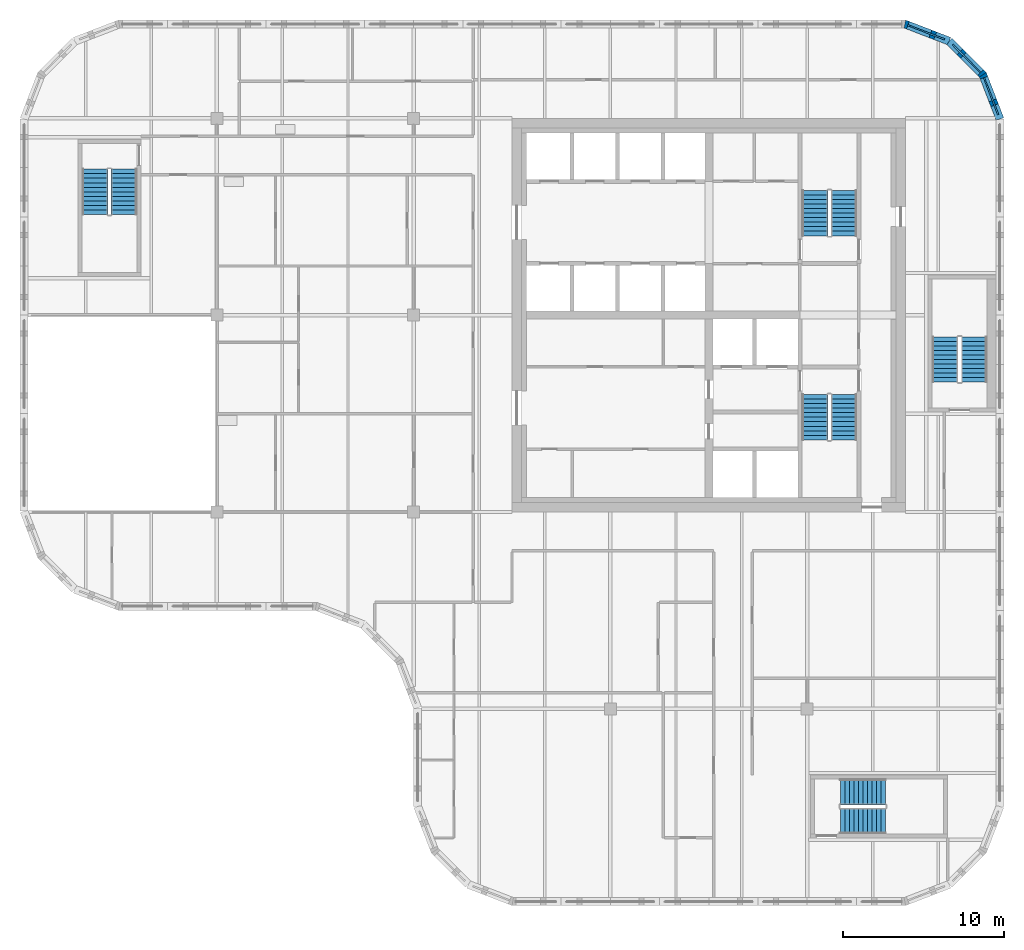
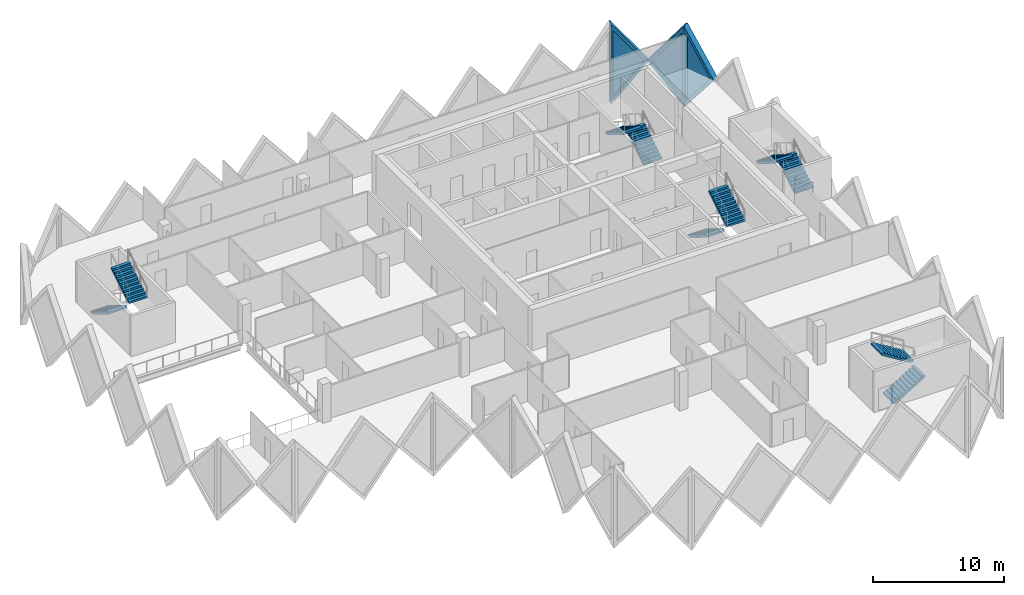
# One storey, part 10 of 12: 10 stair flights, 3 plates, 3 walls, 3 openings, 5 elements without a shape of their own.
"""IFC4 building model written with IfcOpenShell, lengths in metres."""

from ifc_helpers import new_model, si_unit, direction, frame, origin, place, context, subcontext, project, spatial, polyline, outline, extrude, faceted_brep, source, transform, mapped, material, layer, layer_set, type_object, element, fill, aggregate, save


model = new_model("IFC4")

# Units and contexts
model_context = context("Model", 3, precision=1e-05, world=origin(), true_north=direction((0.0, 1.0)))
body_context = subcontext(model_context, "Body", "Model", "MODEL_VIEW")
ifc_project = project(units=[si_unit("LENGTHUNIT", "METRE"), si_unit("AREAUNIT", "SQUARE_METRE"), si_unit("VOLUMEUNIT", "CUBIC_METRE"), si_unit("PLANEANGLEUNIT", "RADIAN"), si_unit("MASSUNIT", "GRAM", prefix="KILO")], contexts=[model_context])

# Site, building, storey
site_placement = place(None, origin())
site = spatial("IfcSite", under=ifc_project, at=site_placement, CompositionType="ELEMENT")
building_placement = place(site_placement, origin())
building = spatial("IfcBuilding", under=site, at=building_placement, Name="Tessera Gate Towers", CompositionType="ELEMENT")
storey_placement = place(building_placement, frame((0.0, 0.0, 163.0)))
storey = spatial("IfcBuildingStorey", under=building, at=storey_placement, Name="L40", CompositionType="ELEMENT", Elevation=163.0)

# Wall, opening, plate
ifc_material_1 = material(Name="Precast concrete C60/75 white", Category="concrete")
ifc_layer_1 = layer(ifc_material_1, 0.5)
ifc_layer_set_1 = layer_set([ifc_layer_1], Name="TS3 corner tessera")
wall_type = type_object("IfcWallType", Name="TS3 corner tessera", PredefinedType="SOLIDWALL", material=ifc_layer_set_1)
shared_shape_1 = source(origin(), body_context, "Body", "Brep", [
    faceted_brep([(2.950439453125, -0.25, 0.0), (2.9970703125, -0.25, 0.05908203125), (2.9970703125, -0.25, 7.541015625), (2.950439453125, -0.25, 7.60009765625), (0.0, -0.25, 3.800048828125), (0.052978515625, 0.25, 3.8681640625), (2.904052734375, 0.25, 7.540283203125), (2.904052734375, 0.25, 0.059814453125), (0.052978515625, 0.25, 3.73193359375), (2.950439453125, 0.00048828125, 0.0), (2.950439453125, 0.00048828125, 7.60009765625), (0.0, 0.0, 3.800048828125)], [[[0, 1, 2, 3, 4]], [[5, 6, 7, 8]], [[1, 0, 9]], [[10, 3, 2]], [[6, 5, 11, 4, 3, 10]], [[8, 7, 9, 0, 4, 11]], [[8, 11, 5]], [[1, 9, 7, 6, 10, 2]]]),
])
wall_1_placement = place(storey_placement, frame((57.606201171875, 53.588134765625, -3.800048828125), z_axis=(0.0, 0.0, 1.0), x_axis=(-0.932990326376, 0.359901446078, 0.0)))
wall_1 = element("IfcWall", 1, at=wall_1_placement, inside=storey, type_object=wall_type, Name="Precast corner tessera T1 TS3-0921", PredefinedType="SOLIDWALL", context=body_context, shape_type="MappedRepresentation", body=[
    mapped(shared_shape_1, transform((0.0, 0.0, 0.0), scale=1.0)),
])
shared_shape_2 = source(origin(), body_context, "Body", "SweptSolid", [
    extrude(outline(polyline([(2.75048828125, 6.934814453125), (0.31640625, 3.800048828125), (2.75048828125, 0.665283203125), (2.75048828125, 6.934814453125)])), frame((0.0, 0.260009765625, 0.0), z_axis=(0.0, -1.0, 0.0), x_axis=(1.0, 0.0, 0.0)), (0.0, 0.0, 1.0), 0.52001953125),
])
opening_1_placement = place(wall_1_placement, origin())
opening_1 = element("IfcOpeningElement", 2, at=opening_1_placement, cuts=wall_1, Name="Opening T1-PL2-1381", PredefinedType="OPENING", context=body_context, shape_type="MappedRepresentation", body=[
    mapped(shared_shape_2, transform((0.0, 0.0, 0.0), scale=1.0)),
])
ifc_material_2 = material(Name="Low-e laminated glass", Category="glass")
ifc_layer_2 = layer(ifc_material_2, 0.06005859375)
ifc_layer_set_2 = layer_set([ifc_layer_2], Name="PL2 rhombic pane")
plate_type = type_object("IfcPlateType", Name="PL2 rhombic pane", PredefinedType="SHEET", material=ifc_layer_set_2)
shared_shape_3 = source(origin(), body_context, "Body", "SweptSolid", [
    extrude(outline(polyline([(2.75048828125, 6.934814453125), (0.31640625, 3.800048828125), (2.75048828125, 0.665283203125), (2.75048828125, 6.934814453125)])), frame((0.0, 0.030029296875, 0.0), z_axis=(0.0, -1.0, 0.0), x_axis=(1.0, 0.0, 0.0)), (0.0, 0.0, 1.0), 0.06005859375),
])
plate_1_placement = place(opening_1_placement, origin())
plate_1 = element("IfcPlate", 3, at=plate_1_placement, inside=storey, type_object=plate_type, Name="Glass pane T1 PL2-1381", PredefinedType="SHEET", context=body_context, shape_type="MappedRepresentation", body=[
    mapped(shared_shape_3, transform((0.0, 0.0, 0.0), scale=1.0)),
])
fill(opening_1, plate_1)

shared_shape_4 = source(origin(), body_context, "Body", "Brep", [
    faceted_brep([(2.950439453125, -0.25, 0.0), (3.00341796875, -0.25, 0.068359375), (3.00341796875, -0.25, 7.53173828125), (2.950439453125, -0.25, 7.60009765625), (0.0, -0.25, 3.800048828125), (0.046630859375, 0.25, 3.860107421875), (2.897705078125, 0.25, 7.531982421875), (2.897705078125, 0.25, 0.068115234375), (0.046630859375, 0.25, 3.739990234375), (2.950439453125, 0.00048828125, 0.0), (2.950439453125, 0.00048828125, 7.60009765625), (0.0, 0.0, 3.800048828125)], [[[0, 1, 2, 3, 4]], [[5, 6, 7, 8]], [[1, 0, 9]], [[10, 3, 2]], [[6, 5, 11, 4, 3, 10]], [[8, 7, 9, 0, 4, 11]], [[8, 11, 5]], [[1, 9, 7, 6, 10, 2]]]),
])
wall_2_placement = place(storey_placement, frame((60.75, 48.75341796875, -3.800048828125), z_axis=(0.0, 0.0, 1.0), x_axis=(-0.35992665181, 0.932980602862, 0.0)))
wall_2 = element("IfcWall", 4, at=wall_2_placement, inside=storey, type_object=wall_type, Name="Precast corner tessera T1 TS3-0919", PredefinedType="SOLIDWALL", context=body_context, shape_type="MappedRepresentation", body=[
    mapped(shared_shape_4, transform((0.0, 0.0, 0.0), scale=1.0)),
])
opening_2_placement = place(wall_2_placement, origin())
opening_2 = element("IfcOpeningElement", 5, at=opening_2_placement, cuts=wall_2, Name="Opening T1-PL2-1379", PredefinedType="OPENING", context=body_context, shape_type="MappedRepresentation", body=[
    mapped(shared_shape_2, transform((0.0, 0.0, 0.0), scale=1.0)),
])
plate_2_placement = place(opening_2_placement, origin())
plate_2 = element("IfcPlate", 6, at=plate_2_placement, inside=storey, type_object=plate_type, Name="Glass pane T1 PL2-1379", PredefinedType="SHEET", context=body_context, shape_type="MappedRepresentation", body=[
    mapped(shared_shape_3, transform((0.0, 0.0, 0.0), scale=1.0)),
])
fill(opening_2, plate_2)

shared_shape_5 = source(origin(), body_context, "Body", "Brep", [
    faceted_brep([(0.052978515625, -0.25, 0.0), (2.9970703125, -0.25, 3.800048828125), (0.052978515625, -0.25, 7.60009765625), (0.0, -0.25, 7.531982421875), (0.0, -0.25, 0.068115234375), (0.10595703125, 0.25, 7.53173828125), (2.944091796875, 0.25, 3.8681640625), (2.944091796875, 0.25, 3.73193359375), (0.10595703125, 0.25, 0.068359375), (2.9970703125, 0.000244140625, 3.800048828125), (0.052978515625, 0.0, 0.0), (0.052978515625, 0.0, 7.60009765625)], [[[0, 1, 2, 3, 4]], [[5, 6, 7, 8]], [[8, 7, 9, 1, 0, 10]], [[6, 5, 11, 2, 1, 9]], [[3, 2, 11]], [[10, 0, 4]], [[8, 10, 4, 3, 11, 5]], [[9, 7, 6]]]),
])
wall_3_placement = place(storey_placement, frame((59.7255859375, 51.46875, -3.800048828125), z_axis=(0.0, 0.0, 1.0), x_axis=(-0.707106781187, 0.707106781187, 0.0)))
wall_3 = element("IfcWall", 7, at=wall_3_placement, inside=storey, type_object=wall_type, Name="Precast corner tessera T1 TS3-0920", PredefinedType="SOLIDWALL", context=body_context, shape_type="MappedRepresentation", body=[
    mapped(shared_shape_5, transform((0.0, 0.0, 0.0), scale=1.0)),
])
shared_shape_6 = source(origin(), body_context, "Body", "SweptSolid", [
    extrude(outline(polyline([(0.2529296875, 0.666259765625), (2.680908203125, 3.800048828125), (0.2529296875, 6.933837890625), (0.2529296875, 0.666259765625)])), frame((0.0, 0.260009765625, 0.0), z_axis=(0.0, -1.0, 0.0), x_axis=(1.0, 0.0, 0.0)), (0.0, 0.0, 1.0), 0.52001953125),
])
opening_3_placement = place(wall_3_placement, origin())
opening_3 = element("IfcOpeningElement", 8, at=opening_3_placement, cuts=wall_3, Name="Opening T1-PL2-1380", PredefinedType="OPENING", context=body_context, shape_type="MappedRepresentation", body=[
    mapped(shared_shape_6, transform((0.0, 0.0, 0.0), scale=1.0)),
])
shared_shape_7 = source(origin(), body_context, "Body", "SweptSolid", [
    extrude(outline(polyline([(0.2529296875, 0.666259765625), (2.680908203125, 3.800048828125), (0.2529296875, 6.933837890625), (0.2529296875, 0.666259765625)])), frame((0.0, 0.030029296875, 0.0), z_axis=(0.0, -1.0, 0.0), x_axis=(1.0, 0.0, 0.0)), (0.0, 0.0, 1.0), 0.06005859375),
])
plate_3_placement = place(opening_3_placement, origin())
plate_3 = element("IfcPlate", 9, at=plate_3_placement, inside=storey, type_object=plate_type, Name="Glass pane T1 PL2-1380", PredefinedType="SHEET", context=body_context, shape_type="MappedRepresentation", body=[
    mapped(shared_shape_7, transform((0.0, 0.0, 0.0), scale=1.0)),
])
fill(opening_3, plate_3)

# Stair, stair flights
ifc_material_3 = material(Name="Concrete C40/50", Category="concrete")
stair_type_1 = type_object("IfcStairType", Name="EXIT STAIR ST1 1600", PredefinedType="HALF_TURN_STAIR", material=ifc_material_3)
stair_1_placement = place(storey_placement, origin())
stair_1 = element("IfcStair", 10, at=stair_1_placement, inside=storey, type_object=stair_type_1, Name="L40 Protected Exit Stair ST1", PredefinedType="HALF_TURN_STAIR")
ifc_material_4 = material(Name="Concrete C40/50", Category="concrete")
stair_flight_type_1 = type_object("IfcStairFlightType", Name="EXIT STAIR FLIGHT ST1 1600", PredefinedType="STRAIGHT", material=ifc_material_4)
stair_flight_1_placement = place(storey_placement, frame((49.27490234375, 31.675048828125, 0.0), z_axis=(0.0, 0.0, 1.0), x_axis=(0.0, -1.0, 0.0)))
stair_flight_1 = element("IfcStairFlight", 11, at=stair_flight_1_placement, type_object=stair_flight_type_1, Name="ST1 flight 1", NumberOfRisers=11, NumberOfTreads=10, PredefinedType="STRAIGHT", RiserHeight=0.172727273, TreadLength=0.28, context=body_context, shape_type="SweptSolid", body=[
    extrude(outline(polyline([(0.0, 0.0), (0.0, 0.172607421875), (0.280029296875, 0.172607421875), (0.280029296875, 0.345458984375), (0.56005859375, 0.345458984375), (0.56005859375, 0.51806640625), (0.840087890625, 0.51806640625), (0.840087890625, 0.69091796875), (1.1201171875, 0.69091796875), (1.1201171875, 0.863525390625), (1.39990234375, 0.863525390625), (1.39990234375, 1.036376953125), (1.679931640625, 1.036376953125), (1.679931640625, 1.208984375), (1.9599609375, 1.208984375), (1.9599609375, 1.3818359375), (2.239990234375, 1.3818359375), (2.239990234375, 1.554443359375), (2.52001953125, 1.554443359375), (2.52001953125, 1.727294921875), (2.800048828125, 1.727294921875), (2.800048828125, 1.89990234375), (2.800048828125, 1.551025390625), (0.285400390625, 0.0), (0.0, 0.0)])), frame((0.0, 0.800048828125, 0.0), z_axis=(0.0, -1.0, 0.0), x_axis=(1.0, 0.0, 0.0)), (0.0, 0.0, 1.0), 1.60009765625),
])
stair_flight_2_placement = place(storey_placement, frame((51.074951171875, 28.875, 1.89990234375), z_axis=(0.0, 0.0, 1.0), x_axis=(0.0, 1.0, 0.0)))
stair_flight_2 = element("IfcStairFlight", 12, at=stair_flight_2_placement, type_object=stair_flight_type_1, Name="ST1 flight 2", NumberOfRisers=11, NumberOfTreads=10, PredefinedType="STRAIGHT", RiserHeight=0.172727273, TreadLength=0.28, context=body_context, shape_type="SweptSolid", body=[
    extrude(outline(polyline([(0.0, 0.0), (0.0, 0.172607421875), (0.280029296875, 0.172607421875), (0.280029296875, 0.345458984375), (0.56005859375, 0.345458984375), (0.56005859375, 0.51806640625), (0.840087890625, 0.51806640625), (0.840087890625, 0.69091796875), (1.1201171875, 0.69091796875), (1.1201171875, 0.863525390625), (1.39990234375, 0.863525390625), (1.39990234375, 1.036376953125), (1.679931640625, 1.036376953125), (1.679931640625, 1.208984375), (1.9599609375, 1.208984375), (1.9599609375, 1.3818359375), (2.239990234375, 1.3818359375), (2.239990234375, 1.554443359375), (2.52001953125, 1.554443359375), (2.52001953125, 1.727294921875), (2.800048828125, 1.727294921875), (2.800048828125, 1.89990234375), (2.800048828125, 1.551025390625), (0.285400390625, 0.0), (0.0, 0.0)])), frame((0.0, 0.800048828125, 0.0), z_axis=(0.0, -1.0, 0.0), x_axis=(1.0, 0.0, 0.0)), (0.0, 0.0, 1.0), 1.60009765625),
])
aggregate(stair_1, [stair_flight_1, stair_flight_2])

ifc_material_5 = material(Name="Concrete C40/50", Category="concrete")
stair_type_2 = type_object("IfcStairType", Name="EXIT STAIR ST2 1600", PredefinedType="HALF_TURN_STAIR", material=ifc_material_5)
stair_2_placement = place(storey_placement, origin())
stair_2 = element("IfcStair", 13, at=stair_2_placement, inside=storey, type_object=stair_type_2, Name="L40 Protected Exit Stair ST2", PredefinedType="HALF_TURN_STAIR")
ifc_material_6 = material(Name="Concrete C40/50", Category="concrete")
stair_flight_type_2 = type_object("IfcStairFlightType", Name="EXIT STAIR FLIGHT ST2 1600", PredefinedType="STRAIGHT", material=ifc_material_6)
stair_flight_3_placement = place(storey_placement, frame((51.074951171875, 41.52490234375, 0.0), z_axis=(0.0, 0.0, 1.0), x_axis=(0.0, 1.0, 0.0)))
stair_flight_3 = element("IfcStairFlight", 14, at=stair_flight_3_placement, type_object=stair_flight_type_2, Name="ST2 flight 1", NumberOfRisers=11, NumberOfTreads=10, PredefinedType="STRAIGHT", RiserHeight=0.172727273, TreadLength=0.28, context=body_context, shape_type="SweptSolid", body=[
    extrude(outline(polyline([(0.0, 0.0), (0.0, 0.172607421875), (0.280029296875, 0.172607421875), (0.280029296875, 0.345458984375), (0.56005859375, 0.345458984375), (0.56005859375, 0.51806640625), (0.840087890625, 0.51806640625), (0.840087890625, 0.69091796875), (1.1201171875, 0.69091796875), (1.1201171875, 0.863525390625), (1.39990234375, 0.863525390625), (1.39990234375, 1.036376953125), (1.679931640625, 1.036376953125), (1.679931640625, 1.208984375), (1.9599609375, 1.208984375), (1.9599609375, 1.3818359375), (2.239990234375, 1.3818359375), (2.239990234375, 1.554443359375), (2.52001953125, 1.554443359375), (2.52001953125, 1.727294921875), (2.800048828125, 1.727294921875), (2.800048828125, 1.89990234375), (2.800048828125, 1.551025390625), (0.285400390625, 0.0), (0.0, 0.0)])), frame((0.0, 0.800048828125, 0.0), z_axis=(0.0, -1.0, 0.0), x_axis=(1.0, 0.0, 0.0)), (0.0, 0.0, 1.0), 1.60009765625),
])
stair_flight_4_placement = place(storey_placement, frame((49.27490234375, 44.324951171875, 1.89990234375), z_axis=(0.0, 0.0, 1.0), x_axis=(0.0, -1.0, 0.0)))
stair_flight_4 = element("IfcStairFlight", 15, at=stair_flight_4_placement, type_object=stair_flight_type_2, Name="ST2 flight 2", NumberOfRisers=11, NumberOfTreads=10, PredefinedType="STRAIGHT", RiserHeight=0.172727273, TreadLength=0.28, context=body_context, shape_type="SweptSolid", body=[
    extrude(outline(polyline([(0.0, 0.0), (0.0, 0.172607421875), (0.280029296875, 0.172607421875), (0.280029296875, 0.345458984375), (0.56005859375, 0.345458984375), (0.56005859375, 0.51806640625), (0.840087890625, 0.51806640625), (0.840087890625, 0.69091796875), (1.1201171875, 0.69091796875), (1.1201171875, 0.863525390625), (1.39990234375, 0.863525390625), (1.39990234375, 1.036376953125), (1.679931640625, 1.036376953125), (1.679931640625, 1.208984375), (1.9599609375, 1.208984375), (1.9599609375, 1.3818359375), (2.239990234375, 1.3818359375), (2.239990234375, 1.554443359375), (2.52001953125, 1.554443359375), (2.52001953125, 1.727294921875), (2.800048828125, 1.727294921875), (2.800048828125, 1.89990234375), (2.800048828125, 1.551025390625), (0.285400390625, 0.0), (0.0, 0.0)])), frame((0.0, 0.800048828125, 0.0), z_axis=(0.0, -1.0, 0.0), x_axis=(1.0, 0.0, 0.0)), (0.0, 0.0, 1.0), 1.60009765625),
])
aggregate(stair_2, [stair_flight_3, stair_flight_4])

ifc_material_7 = material(Name="Concrete C40/50", Category="concrete")
stair_type_3 = type_object("IfcStairType", Name="EXIT STAIR ST3 1600", PredefinedType="HALF_TURN_STAIR", material=ifc_material_7)
stair_3_placement = place(storey_placement, origin())
stair_3 = element("IfcStair", 16, at=stair_3_placement, inside=storey, type_object=stair_type_3, Name="L40 West Exit Stair ST3", PredefinedType="HALF_TURN_STAIR")
ifc_material_8 = material(Name="Concrete C40/50", Category="concrete")
stair_flight_type_3 = type_object("IfcStairFlightType", Name="EXIT STAIR FLIGHT ST3 1600", PredefinedType="STRAIGHT", material=ifc_material_8)
stair_flight_5_placement = place(storey_placement, frame((4.64990234375, 45.64990234375, 0.0), z_axis=(0.0, 0.0, 1.0), x_axis=(0.0, -1.0, 0.0)))
stair_flight_5 = element("IfcStairFlight", 17, at=stair_flight_5_placement, type_object=stair_flight_type_3, Name="ST3 flight 1", NumberOfRisers=11, NumberOfTreads=10, PredefinedType="STRAIGHT", RiserHeight=0.172727273, TreadLength=0.28, context=body_context, shape_type="SweptSolid", body=[
    extrude(outline(polyline([(0.0, 0.0), (0.0, 0.172607421875), (0.280029296875, 0.172607421875), (0.280029296875, 0.345458984375), (0.56005859375, 0.345458984375), (0.56005859375, 0.51806640625), (0.840087890625, 0.51806640625), (0.840087890625, 0.69091796875), (1.1201171875, 0.69091796875), (1.1201171875, 0.863525390625), (1.39990234375, 0.863525390625), (1.39990234375, 1.036376953125), (1.679931640625, 1.036376953125), (1.679931640625, 1.208984375), (1.9599609375, 1.208984375), (1.9599609375, 1.3818359375), (2.239990234375, 1.3818359375), (2.239990234375, 1.554443359375), (2.52001953125, 1.554443359375), (2.52001953125, 1.727294921875), (2.800048828125, 1.727294921875), (2.800048828125, 1.89990234375), (2.800048828125, 1.551025390625), (0.285400390625, 0.0), (0.0, 0.0)])), frame((0.0, 0.800048828125, 0.0), z_axis=(0.0, -1.0, 0.0), x_axis=(1.0, 0.0, 0.0)), (0.0, 0.0, 1.0), 1.60009765625),
])
stair_flight_6_placement = place(storey_placement, frame((6.449951171875, 42.85009765625, 1.89990234375), z_axis=(0.0, 0.0, 1.0), x_axis=(0.0, 1.0, 0.0)))
stair_flight_6 = element("IfcStairFlight", 18, at=stair_flight_6_placement, type_object=stair_flight_type_3, Name="ST3 flight 2", NumberOfRisers=11, NumberOfTreads=10, PredefinedType="STRAIGHT", RiserHeight=0.172727273, TreadLength=0.28, context=body_context, shape_type="SweptSolid", body=[
    extrude(outline(polyline([(0.0, 0.0), (0.0, 0.172607421875), (0.280029296875, 0.172607421875), (0.280029296875, 0.345458984375), (0.56005859375, 0.345458984375), (0.56005859375, 0.51806640625), (0.840087890625, 0.51806640625), (0.840087890625, 0.69091796875), (1.1201171875, 0.69091796875), (1.1201171875, 0.863525390625), (1.39990234375, 0.863525390625), (1.39990234375, 1.036376953125), (1.679931640625, 1.036376953125), (1.679931640625, 1.208984375), (1.9599609375, 1.208984375), (1.9599609375, 1.3818359375), (2.239990234375, 1.3818359375), (2.239990234375, 1.554443359375), (2.52001953125, 1.554443359375), (2.52001953125, 1.727294921875), (2.800048828125, 1.727294921875), (2.800048828125, 1.89990234375), (2.800048828125, 1.551025390625), (0.285400390625, 0.0), (0.0, 0.0)])), frame((0.0, 0.800048828125, 0.0), z_axis=(0.0, -1.0, 0.0), x_axis=(1.0, 0.0, 0.0)), (0.0, 0.0, 1.0), 1.60009765625),
])
aggregate(stair_3, [stair_flight_5, stair_flight_6])

ifc_material_9 = material(Name="Concrete C40/50", Category="concrete")
stair_type_4 = type_object("IfcStairType", Name="EXIT STAIR ST4 1600", PredefinedType="HALF_TURN_STAIR", material=ifc_material_9)
stair_4_placement = place(storey_placement, origin())
stair_4 = element("IfcStair", 19, at=stair_4_placement, inside=storey, type_object=stair_type_4, Name="L40 South Exit Stair ST4", PredefinedType="HALF_TURN_STAIR")
ifc_material_10 = material(Name="Concrete C40/50", Category="concrete")
stair_flight_type_4 = type_object("IfcStairFlightType", Name="EXIT STAIR FLIGHT ST4 1600", PredefinedType="STRAIGHT", material=ifc_material_10)
stair_flight_7_placement = place(storey_placement, frame((50.85009765625, 5.25, 0.0), z_axis=(0.0, 0.0, 1.0), x_axis=(1.0, 0.0, 0.0)))
stair_flight_7 = element("IfcStairFlight", 20, at=stair_flight_7_placement, type_object=stair_flight_type_4, Name="ST4 flight 1", NumberOfRisers=11, NumberOfTreads=10, PredefinedType="STRAIGHT", RiserHeight=0.172727273, TreadLength=0.28, context=body_context, shape_type="SweptSolid", body=[
    extrude(outline(polyline([(0.0, 0.0), (0.0, 0.172607421875), (0.280029296875, 0.172607421875), (0.280029296875, 0.345458984375), (0.56005859375, 0.345458984375), (0.56005859375, 0.51806640625), (0.840087890625, 0.51806640625), (0.840087890625, 0.69091796875), (1.1201171875, 0.69091796875), (1.1201171875, 0.863525390625), (1.39990234375, 0.863525390625), (1.39990234375, 1.036376953125), (1.679931640625, 1.036376953125), (1.679931640625, 1.208984375), (1.9599609375, 1.208984375), (1.9599609375, 1.3818359375), (2.239990234375, 1.3818359375), (2.239990234375, 1.554443359375), (2.52001953125, 1.554443359375), (2.52001953125, 1.727294921875), (2.800048828125, 1.727294921875), (2.800048828125, 1.89990234375), (2.800048828125, 1.551025390625), (0.285400390625, 0.0), (0.0, 0.0)])), frame((0.0, 0.800048828125, 0.0), z_axis=(0.0, -1.0, 0.0), x_axis=(1.0, 0.0, 0.0)), (0.0, 0.0, 1.0), 1.60009765625),
])
stair_flight_8_placement = place(storey_placement, frame((53.64990234375, 7.050048828125, 1.89990234375), z_axis=(0.0, 0.0, 1.0), x_axis=(-1.0, 0.0, 0.0)))
stair_flight_8 = element("IfcStairFlight", 21, at=stair_flight_8_placement, type_object=stair_flight_type_4, Name="ST4 flight 2", NumberOfRisers=11, NumberOfTreads=10, PredefinedType="STRAIGHT", RiserHeight=0.172727273, TreadLength=0.28, context=body_context, shape_type="SweptSolid", body=[
    extrude(outline(polyline([(0.0, 0.0), (0.0, 0.172607421875), (0.280029296875, 0.172607421875), (0.280029296875, 0.345458984375), (0.56005859375, 0.345458984375), (0.56005859375, 0.51806640625), (0.840087890625, 0.51806640625), (0.840087890625, 0.69091796875), (1.1201171875, 0.69091796875), (1.1201171875, 0.863525390625), (1.39990234375, 0.863525390625), (1.39990234375, 1.036376953125), (1.679931640625, 1.036376953125), (1.679931640625, 1.208984375), (1.9599609375, 1.208984375), (1.9599609375, 1.3818359375), (2.239990234375, 1.3818359375), (2.239990234375, 1.554443359375), (2.52001953125, 1.554443359375), (2.52001953125, 1.727294921875), (2.800048828125, 1.727294921875), (2.800048828125, 1.89990234375), (2.800048828125, 1.551025390625), (0.285400390625, 0.0), (0.0, 0.0)])), frame((0.0, 0.800048828125, 0.0), z_axis=(0.0, -1.0, 0.0), x_axis=(1.0, 0.0, 0.0)), (0.0, 0.0, 1.0), 1.60009765625),
])
aggregate(stair_4, [stair_flight_7, stair_flight_8])

ifc_material_11 = material(Name="Concrete C40/50", Category="concrete")
stair_type_5 = type_object("IfcStairType", Name="EXIT STAIR ST5 1600", PredefinedType="HALF_TURN_STAIR", material=ifc_material_11)
stair_5_placement = place(storey_placement, origin())
stair_5 = element("IfcStair", 22, at=stair_5_placement, inside=storey, type_object=stair_type_5, Name="L40 East Exit Stair ST5", PredefinedType="HALF_TURN_STAIR")
ifc_material_12 = material(Name="Concrete C40/50", Category="concrete")
stair_flight_type_5 = type_object("IfcStairFlightType", Name="EXIT STAIR FLIGHT ST5 1600", PredefinedType="STRAIGHT", material=ifc_material_12)
stair_flight_9_placement = place(storey_placement, frame((59.14990234375, 32.449951171875, 0.0), z_axis=(0.0, 0.0, 1.0), x_axis=(0.0, 1.0, 0.0)))
stair_flight_9 = element("IfcStairFlight", 23, at=stair_flight_9_placement, type_object=stair_flight_type_5, Name="ST5 flight 1", NumberOfRisers=11, NumberOfTreads=10, PredefinedType="STRAIGHT", RiserHeight=0.172727273, TreadLength=0.28, context=body_context, shape_type="SweptSolid", body=[
    extrude(outline(polyline([(0.0, 0.0), (0.0, 0.172607421875), (0.280029296875, 0.172607421875), (0.280029296875, 0.345458984375), (0.56005859375, 0.345458984375), (0.56005859375, 0.51806640625), (0.840087890625, 0.51806640625), (0.840087890625, 0.69091796875), (1.1201171875, 0.69091796875), (1.1201171875, 0.863525390625), (1.39990234375, 0.863525390625), (1.39990234375, 1.036376953125), (1.679931640625, 1.036376953125), (1.679931640625, 1.208984375), (1.9599609375, 1.208984375), (1.9599609375, 1.3818359375), (2.239990234375, 1.3818359375), (2.239990234375, 1.554443359375), (2.52001953125, 1.554443359375), (2.52001953125, 1.727294921875), (2.800048828125, 1.727294921875), (2.800048828125, 1.89990234375), (2.800048828125, 1.551025390625), (0.285400390625, 0.0), (0.0, 0.0)])), frame((0.0, 0.800048828125, 0.0), z_axis=(0.0, -1.0, 0.0), x_axis=(1.0, 0.0, 0.0)), (0.0, 0.0, 1.0), 1.60009765625),
])
stair_flight_10_placement = place(storey_placement, frame((57.35009765625, 35.25, 1.89990234375), z_axis=(0.0, 0.0, 1.0), x_axis=(0.0, -1.0, 0.0)))
stair_flight_10 = element("IfcStairFlight", 24, at=stair_flight_10_placement, type_object=stair_flight_type_5, Name="ST5 flight 2", NumberOfRisers=11, NumberOfTreads=10, PredefinedType="STRAIGHT", RiserHeight=0.172727273, TreadLength=0.28, context=body_context, shape_type="SweptSolid", body=[
    extrude(outline(polyline([(0.0, 0.0), (0.0, 0.172607421875), (0.280029296875, 0.172607421875), (0.280029296875, 0.345458984375), (0.56005859375, 0.345458984375), (0.56005859375, 0.51806640625), (0.840087890625, 0.51806640625), (0.840087890625, 0.69091796875), (1.1201171875, 0.69091796875), (1.1201171875, 0.863525390625), (1.39990234375, 0.863525390625), (1.39990234375, 1.036376953125), (1.679931640625, 1.036376953125), (1.679931640625, 1.208984375), (1.9599609375, 1.208984375), (1.9599609375, 1.3818359375), (2.239990234375, 1.3818359375), (2.239990234375, 1.554443359375), (2.52001953125, 1.554443359375), (2.52001953125, 1.727294921875), (2.800048828125, 1.727294921875), (2.800048828125, 1.89990234375), (2.800048828125, 1.551025390625), (0.285400390625, 0.0), (0.0, 0.0)])), frame((0.0, 0.800048828125, 0.0), z_axis=(0.0, -1.0, 0.0), x_axis=(1.0, 0.0, 0.0)), (0.0, 0.0, 1.0), 1.60009765625),
])
aggregate(stair_5, [stair_flight_9, stair_flight_10])

save(model, "model.ifc")
